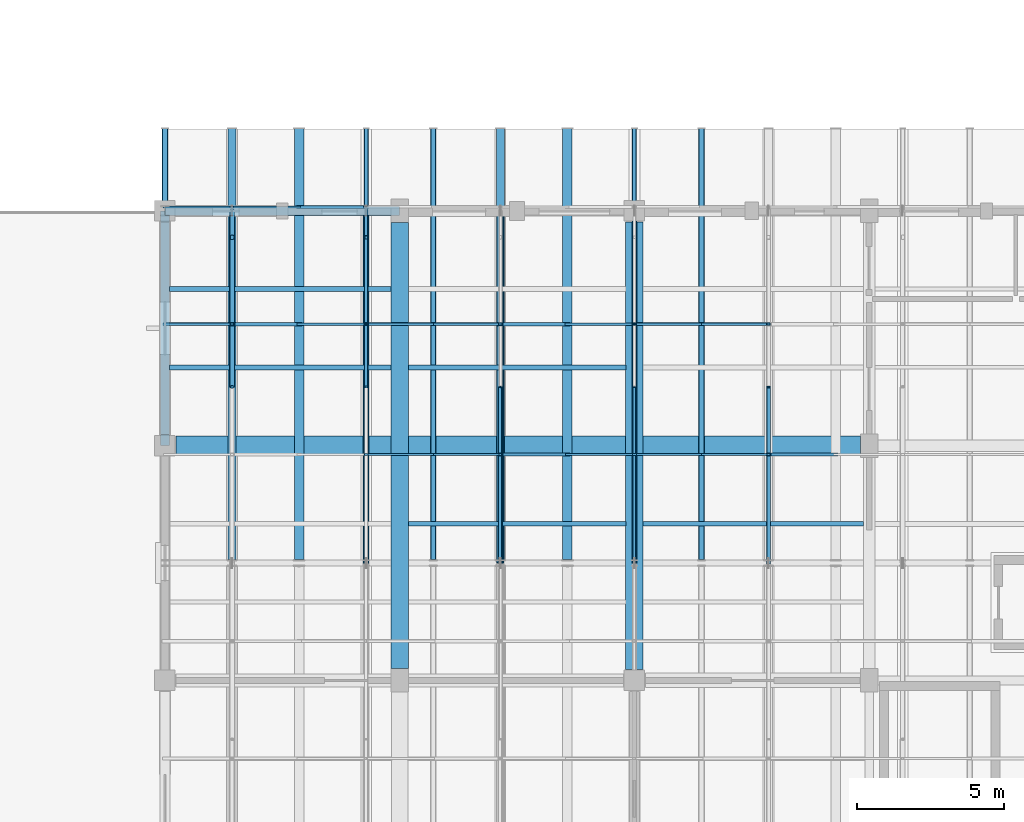
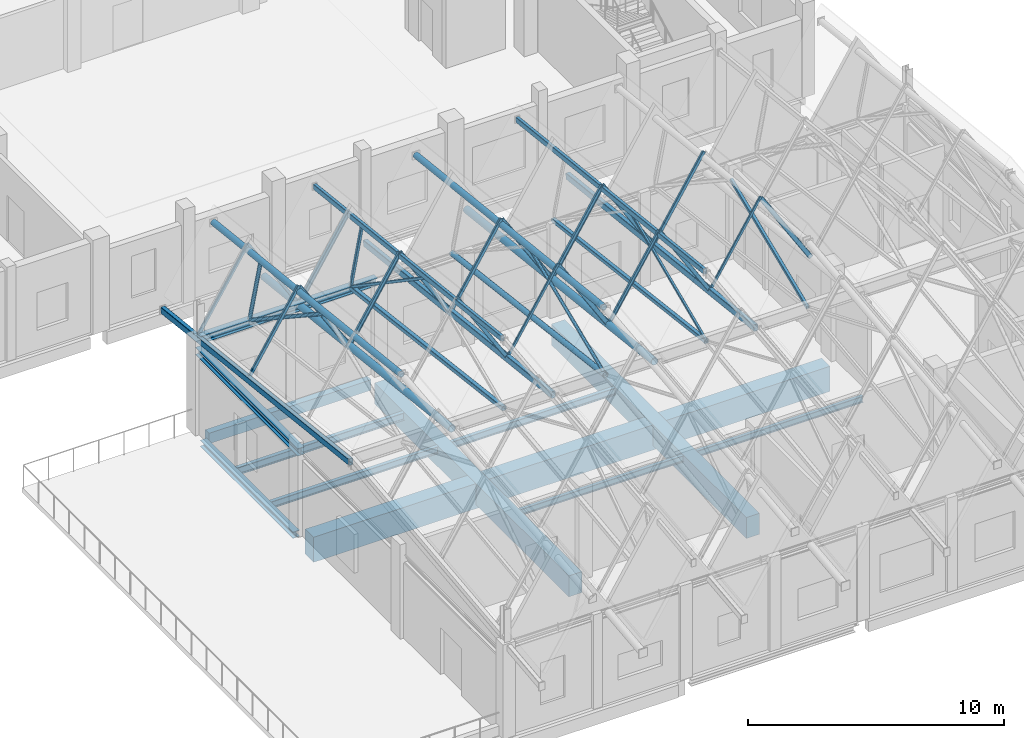
# One storey, part 22 of 77: 29 members, 21 beams.
"""IFC4 building model written with IfcOpenShell, lengths in metres."""

from ifc_helpers import new_model, si_unit, direction, frame, origin, origin_2d, place, context, subcontext, project, spatial, rectangle, hollow_rectangle, hollow_circle, i_section, extrude, material, material_profile, profile_set, type_object, element, save


model = new_model("IFC4")

# Units and contexts
model_context = context("Model", 3, precision=1e-05, world=origin(), true_north=direction((0.0, 1.0)))
body_context = subcontext(model_context, "Body", "Model", "MODEL_VIEW")
ifc_project = project(units=[si_unit("LENGTHUNIT", "METRE"), si_unit("AREAUNIT", "SQUARE_METRE"), si_unit("VOLUMEUNIT", "CUBIC_METRE"), si_unit("PLANEANGLEUNIT", "RADIAN"), si_unit("MASSUNIT", "GRAM", prefix="KILO")], contexts=[model_context])

# Site, building, storey
site_placement = place(None, origin())
site = spatial("IfcSite", under=ifc_project, at=site_placement, CompositionType="ELEMENT")
building_placement = place(site_placement, origin())
building = spatial("IfcBuilding", under=site, at=building_placement, Name="Luwemba Playhouse", CompositionType="ELEMENT")
storey_placement = place(building_placement, frame((0.0, 0.0, 9.300048828125)))
storey = spatial("IfcBuildingStorey", under=building, at=storey_placement, Name="L02", CompositionType="ELEMENT", Elevation=9.300048828125)

# Beams
ifc_material_1 = material(Name="Concrete C40/50", Category="concrete")
ifc_material_profile_1 = material_profile(ifc_material_1, rectangle(XDim=0.60009765625, YDim=1.0, at=origin_2d()))
ifc_profile_set_1 = profile_set([ifc_material_profile_1], Name="Concrete C40/50")
beam_type_1 = type_object("IfcBeamType", Name="BM-RB09", PredefinedType="BEAM", material=ifc_profile_set_1)
beam_1_placement = place(storey_placement, frame((148.0, 44.39990234375, -0.75), z_axis=(0.0, 1.0, 0.0), x_axis=(-1.0, 0.0, 0.0)))
element("IfcBeam", 1, at=beam_1_placement, inside=storey, type_object=beam_type_1, Name="L02 transverse girder 0716", PredefinedType="BEAM", context=body_context, shape_type="SweptSolid", body=[
    extrude(rectangle(XDim=0.60009765625, YDim=1.0, at=origin_2d()), origin(), (0.0, 0.0, 1.0), 15.2001953125),
])
beam_2_placement = place(storey_placement, frame((156.0, 44.375, -0.75), z_axis=(0.0, 1.0, 0.0), x_axis=(-1.0, 0.0, 0.0)))
element("IfcBeam", 2, at=beam_2_placement, inside=storey, type_object=beam_type_1, Name="L02 transverse girder 0718", PredefinedType="BEAM", context=body_context, shape_type="SweptSolid", body=[
    extrude(rectangle(XDim=0.60009765625, YDim=1.0, at=origin_2d()), origin(), (0.0, 0.0, 1.0), 15.25),
])
ifc_material_profile_2 = material_profile(ifc_material_1, rectangle(XDim=0.64990234375, YDim=1.199951171875, at=origin_2d()))
ifc_profile_set_2 = profile_set([ifc_material_profile_2], Name="Concrete C40/50")
beam_type_2 = type_object("IfcBeamType", Name="BM-RB11", PredefinedType="BEAM", material=ifc_profile_set_2)
beam_3_placement = place(storey_placement, frame((140.375, 52.0, -0.85009765625), z_axis=(1.0, 0.0, 0.0), x_axis=(0.0, 1.0, 0.0)))
element("IfcBeam", 3, at=beam_3_placement, inside=storey, type_object=beam_type_2, Name="L02 grid girder 0706", PredefinedType="BEAM", context=body_context, shape_type="SweptSolid", body=[
    extrude(rectangle(XDim=0.64990234375, YDim=1.199951171875, at=origin_2d()), origin(), (0.0, 0.0, 1.0), 23.324951171875),
])
ifc_material_2 = material(Name="Steel S355", Category="steel")
ifc_material_profile_3 = material_profile(ifc_material_2, hollow_rectangle(XDim=0.14990234375, YDim=0.25, WallThickness=0.010009765625, InnerFilletRadius=0.014892578125, OuterFilletRadius=0.02490234375, at=origin_2d()))
ifc_profile_set_3 = profile_set([ifc_material_profile_3], Name="Steel S355")
beam_type_3 = type_object("IfcBeamType", Name="BM-RTG1", PredefinedType="USERDEFINED", material=ifc_profile_set_3)
for number, where, z_axis, x_axis, name in (
    (4, (146.857177734375, 48.110107421875, 9.131103515625), (0.0, 0.993768187881, -0.11146653648), (-1.0, 0.0, 0.0), "ROOF TRUSS ridge girder 0172"),
    (5, (156.0, 48.110107421875, 9.131103515625), (0.0, 0.993766358241, -0.111482847235), (-1.0, 0.0, 0.0), "ROOF TRUSS ridge girder 0180"),
):
    element("IfcBeam", number, at=place(storey_placement, frame(where, z_axis=z_axis, x_axis=x_axis)), inside=storey, type_object=beam_type_3, Name=name, ObjectType="ROOF TRUSS", PredefinedType="USERDEFINED", context=body_context, shape_type="SweptSolid", body=[
        extrude(hollow_rectangle(XDim=0.14990234375, YDim=0.25, WallThickness=0.010009765625, InnerFilletRadius=0.014892578125, OuterFilletRadius=0.02490234375, at=origin_2d()), origin(), (0.0, 0.0, 1.0), 14.781982421875),
    ])
ifc_material_profile_4 = material_profile(ifc_material_2, hollow_rectangle(XDim=0.199951171875, YDim=0.300048828125, WallThickness=0.012451171875, InnerFilletRadius=0.018798828125, OuterFilletRadius=0.03125, at=origin_2d()))
ifc_profile_set_4 = profile_set([ifc_material_profile_4], Name="Steel S355")
beam_type_4 = type_object("IfcBeamType", Name="BM-RTG2", PredefinedType="USERDEFINED", material=ifc_profile_set_4)
for number, where, z_axis, x_axis, name in (
    (6, (140.0, 48.110107421875, 5.645751953125), (0.0, 0.993768187881, -0.11146653648), (-1.0, 0.0, 0.0), "ROOF TRUSS valley girder 0166"),
    (7, (149.142822265625, 48.110107421875, 5.645751953125), (0.0, 0.993768187881, -0.11146653648), (-1.0, 0.0, 0.0), "ROOF TRUSS valley girder 0174"),
    (8, (158.28564453125, 48.110107421875, 5.645751953125), (0.0, 0.993768187881, -0.11146653648), (-1.0, 0.0, 0.0), "ROOF TRUSS valley girder 0182"),
):
    element("IfcBeam", number, at=place(storey_placement, frame(where, z_axis=z_axis, x_axis=x_axis)), inside=storey, type_object=beam_type_4, Name=name, ObjectType="ROOF TRUSS", PredefinedType="USERDEFINED", context=body_context, shape_type="SweptSolid", body=[
        extrude(hollow_rectangle(XDim=0.199951171875, YDim=0.300048828125, WallThickness=0.012451171875, InnerFilletRadius=0.018798828125, OuterFilletRadius=0.03125, at=origin_2d()), origin(), (0.0, 0.0, 1.0), 14.781982421875),
    ])
ifc_material_profile_5 = material_profile(ifc_material_2, hollow_circle(Radius=0.136474609375, WallThickness=0.012451171875, at=origin_2d()))
ifc_profile_set_5 = profile_set([ifc_material_profile_5], Name="Steel S355")
beam_type_5 = type_object("IfcBeamType", Name="BM-RTG3", PredefinedType="USERDEFINED", material=ifc_profile_set_5)
for number, where, z_axis, x_axis, name in (
    (9, (142.28564453125, 48.110107421875, 9.021240234375), (0.0, 0.993768187881, -0.11146653648), (-1.0, 0.0, 0.0), "ROOF TRUSS ridge girder 0168"),
    (10, (151.4287109375, 48.110107421875, 9.02099609375), (0.0, 0.993768187881, -0.11146653648), (-1.0, 0.0, 0.0), "ROOF TRUSS ridge girder 0176"),
):
    element("IfcBeam", number, at=place(storey_placement, frame(where, z_axis=z_axis, x_axis=x_axis)), inside=storey, type_object=beam_type_5, Name=name, ObjectType="ROOF TRUSS", PredefinedType="USERDEFINED", context=body_context, shape_type="SweptSolid", body=[
        extrude(hollow_circle(Radius=0.136474609375, WallThickness=0.012451171875, at=origin_2d()), origin(), (0.0, 0.0, 1.0), 14.781982421875),
    ])
ifc_material_profile_6 = material_profile(ifc_material_2, hollow_circle(Radius=0.161865234375, WallThickness=0.01611328125, at=origin_2d()))
ifc_profile_set_6 = profile_set([ifc_material_profile_6], Name="Steel S355")
beam_type_6 = type_object("IfcBeamType", Name="BM-RTG4", PredefinedType="USERDEFINED", material=ifc_profile_set_6)
for number, where, z_axis, x_axis, name in (
    (11, (144.5712890625, 48.110107421875, 5.6337890625), (0.0, 0.993768187881, -0.11146653648), (-1.0, 0.0, 0.0), "ROOF TRUSS valley girder 0170"),
    (12, (153.71435546875, 48.110107421875, 5.634033203125), (0.0, 0.993768187881, -0.11146653648), (-1.0, 0.0, 0.0), "ROOF TRUSS valley girder 0178"),
):
    element("IfcBeam", number, at=place(storey_placement, frame(where, z_axis=z_axis, x_axis=x_axis)), inside=storey, type_object=beam_type_6, Name=name, ObjectType="ROOF TRUSS", PredefinedType="USERDEFINED", context=body_context, shape_type="SweptSolid", body=[
        extrude(hollow_circle(Radius=0.161865234375, WallThickness=0.01611328125, at=origin_2d()), origin(), (0.0, 0.0, 1.0), 14.781982421875),
    ])
ifc_material_profile_7 = material_profile(ifc_material_2, i_section(OverallWidth=0.300048828125, OverallDepth=0.360107421875, WebThickness=0.012451171875, FlangeThickness=0.0224609375, FilletRadius=0.027099609375, at=origin_2d()))
ifc_profile_set_7 = profile_set([ifc_material_profile_7], Name="Steel S355")
beam_type_7 = type_object("IfcBeamType", Name="BM-SB09", PredefinedType="BEAM", material=ifc_profile_set_7)
for number, where, z_axis, x_axis, name in (
    (13, (140.0, 60.0, 4.320068359375), (1.0, 0.0, 0.0), (0.0, 1.0, 0.0), "RF-V3 eave ring beam 0152"),
    (14, (140.0, 52.0, 3.780029296875), (0.0, 1.0, 0.0), (-1.0, 0.0, 0.0), "RF-V3 gable ring beam 0158"),
):
    element("IfcBeam", number, at=place(storey_placement, frame(where, z_axis=z_axis, x_axis=x_axis)), inside=storey, type_object=beam_type_7, Name=name, PredefinedType="BEAM", context=body_context, shape_type="SweptSolid", body=[
        extrude(i_section(OverallWidth=0.300048828125, OverallDepth=0.360107421875, WebThickness=0.012451171875, FlangeThickness=0.0224609375, FilletRadius=0.027099609375, at=origin_2d()), origin(), (0.0, 0.0, 1.0), 8.0),
    ])
ifc_material_profile_8 = material_profile(ifc_material_2, i_section(OverallWidth=0.14990234375, OverallDepth=0.300048828125, WebThickness=0.007080078125, FlangeThickness=0.0107421875, FilletRadius=0.014892578125, at=origin_2d()))
ifc_profile_set_8 = profile_set([ifc_material_profile_8], Name="Steel S355")
beam_type_8 = type_object("IfcBeamType", Name="BM-SJ05", PredefinedType="JOIST", material=ifc_profile_set_8)
beam_4_placement = place(storey_placement, frame((148.2958984375, 49.333251953125, -0.400146484375), z_axis=(1.0, 0.0, 0.0), x_axis=(0.0, 1.0, 0.0)))
element("IfcBeam", 15, at=beam_4_placement, inside=storey, type_object=beam_type_8, Name="L02 composite floor joist 0413", PredefinedType="JOIST", context=body_context, shape_type="SweptSolid", body=[
    extrude(i_section(OverallWidth=0.14990234375, OverallDepth=0.300048828125, WebThickness=0.007080078125, FlangeThickness=0.0107421875, FilletRadius=0.014892578125, at=origin_2d()), origin(), (0.0, 0.0, 1.0), 7.408203125),
])
beam_5_placement = place(storey_placement, frame((156.2958984375, 49.333251953125, -0.400146484375), z_axis=(1.0, 0.0, 0.0), x_axis=(0.0, 1.0, 0.0)))
element("IfcBeam", 16, at=beam_5_placement, inside=storey, type_object=beam_type_8, Name="L02 composite floor joist 0419", PredefinedType="JOIST", context=body_context, shape_type="SweptSolid", body=[
    extrude(i_section(OverallWidth=0.14990234375, OverallDepth=0.300048828125, WebThickness=0.007080078125, FlangeThickness=0.0107421875, FilletRadius=0.014892578125, at=origin_2d()), origin(), (0.0, 0.0, 1.0), 7.508056640625),
])
ifc_material_profile_9 = material_profile(ifc_material_2, i_section(OverallWidth=0.159912109375, OverallDepth=0.330078125, WebThickness=0.007568359375, FlangeThickness=0.011474609375, FilletRadius=0.01806640625, at=origin_2d()))
ifc_profile_set_9 = profile_set([ifc_material_profile_9], Name="Steel S355")
beam_type_9 = type_object("IfcBeamType", Name="BM-SJ06", PredefinedType="JOIST", material=ifc_profile_set_9)
beam_6_placement = place(storey_placement, frame((140.14599609375, 54.666748046875, -0.4150390625), z_axis=(1.0, 0.0, 0.0), x_axis=(0.0, 1.0, 0.0)))
element("IfcBeam", 17, at=beam_6_placement, inside=storey, type_object=beam_type_9, Name="L02 composite floor joist 0408", PredefinedType="JOIST", context=body_context, shape_type="SweptSolid", body=[
    extrude(i_section(OverallWidth=0.159912109375, OverallDepth=0.330078125, WebThickness=0.007568359375, FlangeThickness=0.011474609375, FilletRadius=0.01806640625, at=origin_2d()), origin(), (0.0, 0.0, 1.0), 7.55810546875),
])
beam_7_placement = place(storey_placement, frame((148.2958984375, 54.666748046875, -0.4150390625), z_axis=(1.0, 0.0, 0.0), x_axis=(0.0, 1.0, 0.0)))
element("IfcBeam", 18, at=beam_7_placement, inside=storey, type_object=beam_type_9, Name="L02 composite floor joist 0414", PredefinedType="JOIST", context=body_context, shape_type="SweptSolid", body=[
    extrude(i_section(OverallWidth=0.159912109375, OverallDepth=0.330078125, WebThickness=0.007568359375, FlangeThickness=0.011474609375, FilletRadius=0.01806640625, at=origin_2d()), origin(), (0.0, 0.0, 1.0), 7.408203125),
])
ifc_material_profile_10 = material_profile(ifc_material_2, i_section(OverallWidth=0.169921875, OverallDepth=0.360107421875, WebThickness=0.008056640625, FlangeThickness=0.0126953125, FilletRadius=0.01806640625, at=origin_2d()))
ifc_profile_set_10 = profile_set([ifc_material_profile_10], Name="Steel S355")
beam_type_10 = type_object("IfcBeamType", Name="BM-SJ07", PredefinedType="JOIST", material=ifc_profile_set_10)
beam_8_placement = place(storey_placement, frame((140.14599609375, 57.333251953125, -0.429931640625), z_axis=(1.0, 0.0, 0.0), x_axis=(0.0, 1.0, 0.0)))
element("IfcBeam", 19, at=beam_8_placement, inside=storey, type_object=beam_type_10, Name="L02 composite floor joist 0409", PredefinedType="JOIST", context=body_context, shape_type="SweptSolid", body=[
    extrude(i_section(OverallWidth=0.169921875, OverallDepth=0.360107421875, WebThickness=0.008056640625, FlangeThickness=0.0126953125, FilletRadius=0.01806640625, at=origin_2d()), origin(), (0.0, 0.0, 1.0), 7.55810546875),
])
ifc_material_profile_11 = material_profile(ifc_material_1, rectangle(XDim=0.300048828125, YDim=0.5, at=origin_2d()))
ifc_profile_set_11 = profile_set([ifc_material_profile_11], Name="Concrete C40/50")
beam_type_11 = type_object("IfcBeamType", Name="BM-SP1", PredefinedType="SPANDREL", material=ifc_profile_set_11)
beam_9_placement = place(storey_placement, frame((140.375, 60.0, -0.5), z_axis=(1.0, 0.0, 0.0), x_axis=(0.0, 1.0, 0.0)))
element("IfcBeam", 20, at=beam_9_placement, inside=storey, type_object=beam_type_11, Name="L02 grid girder 0708", PredefinedType="SPANDREL", context=body_context, shape_type="SweptSolid", body=[
    extrude(rectangle(XDim=0.300048828125, YDim=0.5, at=origin_2d()), origin(), (0.0, 0.0, 1.0), 7.324951171875),
])
ifc_material_profile_12 = material_profile(ifc_material_2, i_section(OverallWidth=0.300048828125, OverallDepth=0.300048828125, WebThickness=0.010986328125, FlangeThickness=0.01904296875, FilletRadius=0.027099609375, at=origin_2d()))
ifc_profile_set_12 = profile_set([ifc_material_profile_12], Name="Steel S355")
beam_type_12 = type_object("IfcBeamType", Name="BM-SSP1", PredefinedType="SPANDREL", material=ifc_profile_set_12)
beam_10_placement = place(storey_placement, frame((140.0, 52.375, -0.400146484375), z_axis=(0.0, 1.0, 0.0), x_axis=(-1.0, 0.0, 0.0)))
element("IfcBeam", 21, at=beam_10_placement, inside=storey, type_object=beam_type_12, Name="L02 transverse girder 0714", PredefinedType="SPANDREL", context=body_context, shape_type="SweptSolid", body=[
    extrude(i_section(OverallWidth=0.300048828125, OverallDepth=0.300048828125, WebThickness=0.010986328125, FlangeThickness=0.01904296875, FilletRadius=0.027099609375, at=origin_2d()), origin(), (0.0, 0.0, 1.0), 7.25),
])

# Members
ifc_material_profile_13 = material_profile(ifc_material_2, hollow_circle(Radius=0.06982421875, WallThickness=0.008056640625, at=origin_2d()))
ifc_profile_set_13 = profile_set([ifc_material_profile_13], Name="Steel S355")
member_type_1 = type_object("IfcMemberType", Name="MEM-MB01", PredefinedType="BRACE", material=ifc_profile_set_13)
member_1_placement = place(storey_placement, frame((151.4287109375, 48.0, 5.865966796875), z_axis=(0.0, 0.923383434978, 0.38387892884), x_axis=(-1.0, 0.0, 0.0)))
element("IfcMember", 22, at=member_1_placement, inside=storey, type_object=member_type_1, Name="ROOF TRUSS web diagonal 0155", PredefinedType="BRACE", context=body_context, shape_type="SweptSolid", body=[
    extrude(hollow_circle(Radius=0.06982421875, WallThickness=0.008056640625, at=origin_2d()), origin(), (0.0, 0.0, 1.0), 6.497802734375),
])
ifc_material_profile_14 = material_profile(ifc_material_2, hollow_circle(Radius=0.084228515625, WallThickness=0.008056640625, at=origin_2d()))
ifc_profile_set_14 = profile_set([ifc_material_profile_14], Name="Steel S355")
member_type_2 = type_object("IfcMemberType", Name="MEM-MB02", PredefinedType="BRACE", material=ifc_profile_set_14)
member_2_placement = place(storey_placement, frame((142.28564453125, 60.0, 4.39990234375), z_axis=(0.0, -0.834580678747, 0.550885732854), x_axis=(1.0, 0.0, 0.0)))
element("IfcMember", 23, at=member_2_placement, inside=storey, type_object=member_type_2, Name="ROOF TRUSS web diagonal 0144", PredefinedType="BRACE", context=body_context, shape_type="SweptSolid", body=[
    extrude(hollow_circle(Radius=0.084228515625, WallThickness=0.008056640625, at=origin_2d()), origin(), (0.0, 0.0, 1.0), 7.189208984375),
])
member_3_placement = place(storey_placement, frame((142.28564453125, 60.0, 4.39990234375), z_axis=(0.0, -0.256682973169, 0.966495655078), x_axis=(1.0, 0.0, 0.0)))
element("IfcMember", 24, at=member_3_placement, inside=storey, type_object=member_type_2, Name="ROOF TRUSS eave knee strut 0031", PredefinedType="BRACE", context=body_context, shape_type="SweptSolid", body=[
    extrude(hollow_circle(Radius=0.084228515625, WallThickness=0.008056640625, at=origin_2d()), origin(), (0.0, 0.0, 1.0), 3.505859375),
])
ifc_material_profile_15 = material_profile(ifc_material_2, hollow_rectangle(XDim=0.10009765625, YDim=0.10009765625, WallThickness=0.00634765625, InnerFilletRadius=0.009521484375, OuterFilletRadius=0.015869140625, at=origin_2d()))
ifc_profile_set_15 = profile_set([ifc_material_profile_15], Name="Steel S355")
member_type_3 = type_object("IfcMemberType", Name="MEM-MB05", PredefinedType="BRACE", material=ifc_profile_set_15)
member_4_placement = place(storey_placement, frame((156.0, 48.0, 5.865966796875), z_axis=(0.0, 0.917304885727, 0.398185568072), x_axis=(-1.0, 0.0, 0.0)))
element("IfcMember", 25, at=member_4_placement, inside=storey, type_object=member_type_3, Name="ROOF TRUSS web diagonal 0161", PredefinedType="BRACE", context=body_context, shape_type="SweptSolid", body=[
    extrude(hollow_rectangle(XDim=0.10009765625, YDim=0.10009765625, WallThickness=0.00634765625, InnerFilletRadius=0.009521484375, OuterFilletRadius=0.015869140625, at=origin_2d()), origin(), (0.0, 0.0, 1.0), 6.541015625),
])
ifc_material_profile_16 = material_profile(ifc_material_2, hollow_rectangle(XDim=0.1201171875, YDim=0.1201171875, WallThickness=0.008056640625, InnerFilletRadius=0.011962890625, OuterFilletRadius=0.02001953125, at=origin_2d()))
ifc_profile_set_16 = profile_set([ifc_material_profile_16], Name="Steel S355")
member_type_4 = type_object("IfcMemberType", Name="MEM-MB06", PredefinedType="BRACE", material=ifc_profile_set_16)
member_5_placement = place(storey_placement, frame((146.857177734375, 60.0, 4.39990234375), z_axis=(0.0, -0.827531645808, 0.561419072695), x_axis=(1.0, 0.0, 0.0)))
element("IfcMember", 26, at=member_5_placement, inside=storey, type_object=member_type_4, Name="ROOF TRUSS web diagonal 0150", PredefinedType="BRACE", context=body_context, shape_type="SweptSolid", body=[
    extrude(hollow_rectangle(XDim=0.1201171875, YDim=0.1201171875, WallThickness=0.008056640625, InnerFilletRadius=0.011962890625, OuterFilletRadius=0.02001953125, at=origin_2d()), origin(), (0.0, 0.0, 1.0), 7.25048828125),
])
member_6_placement = place(storey_placement, frame((146.857177734375, 60.0, 4.39990234375), z_axis=(0.0, -0.249113487175, 0.968474300386), x_axis=(1.0, 0.0, 0.0)))
element("IfcMember", 27, at=member_6_placement, inside=storey, type_object=member_type_4, Name="ROOF TRUSS eave knee strut 0033", PredefinedType="BRACE", context=body_context, shape_type="SweptSolid", body=[
    extrude(hollow_rectangle(XDim=0.1201171875, YDim=0.1201171875, WallThickness=0.008056640625, InnerFilletRadius=0.011962890625, OuterFilletRadius=0.02001953125, at=origin_2d()), origin(), (0.0, 0.0, 1.0), 3.6123046875),
])
ifc_material_profile_17 = material_profile(ifc_material_2, hollow_rectangle(XDim=0.139892578125, YDim=0.139892578125, WallThickness=0.008056640625, InnerFilletRadius=0.011962890625, OuterFilletRadius=0.02001953125, at=origin_2d()))
ifc_profile_set_17 = profile_set([ifc_material_profile_17], Name="Steel S355")
member_type_5 = type_object("IfcMemberType", Name="MEM-MB07", PredefinedType="BRACE", material=ifc_profile_set_17)
member_7_placement = place(storey_placement, frame((160.5712890625, 48.0, 5.865966796875), z_axis=(0.0, 0.923370116363, 0.383910963908), x_axis=(-1.0, 0.0, 0.0)))
element("IfcMember", 28, at=member_7_placement, inside=storey, type_object=member_type_5, Name="ROOF TRUSS web diagonal 0167", PredefinedType="BRACE", context=body_context, shape_type="SweptSolid", body=[
    extrude(hollow_rectangle(XDim=0.139892578125, YDim=0.139892578125, WallThickness=0.008056640625, InnerFilletRadius=0.011962890625, OuterFilletRadius=0.02001953125, at=origin_2d()), origin(), (0.0, 0.0, 1.0), 6.498046875),
])
ifc_material_profile_18 = material_profile(ifc_material_2, hollow_circle(Radius=0.122314453125, WallThickness=0.012451171875, at=origin_2d()))
ifc_profile_set_18 = profile_set([ifc_material_profile_18], Name="Steel S355")
member_type_6 = type_object("IfcMemberType", Name="MEM-MC01", PredefinedType="CHORD", material=ifc_profile_set_18)
member_8_placement = place(storey_placement, frame((151.4287109375, 48.0, 5.865966796875), z_axis=(0.0, 0.99261951546, -0.121270348924), x_axis=(-1.0, 0.0, 0.0)))
element("IfcMember", 29, at=member_8_placement, inside=storey, type_object=member_type_6, Name="ROOF TRUSS north bottom chord 0152", PredefinedType="CHORD", context=body_context, shape_type="SweptSolid", body=[
    extrude(hollow_circle(Radius=0.122314453125, WallThickness=0.012451171875, at=origin_2d()), origin(), (0.0, 0.0, 1.0), 12.089111328125),
])
ifc_material_profile_19 = material_profile(ifc_material_2, hollow_rectangle(XDim=0.179931640625, YDim=0.179931640625, WallThickness=0.010009765625, InnerFilletRadius=0.014892578125, OuterFilletRadius=0.02490234375, at=origin_2d()))
ifc_profile_set_19 = profile_set([ifc_material_profile_19], Name="Steel S355")
member_type_7 = type_object("IfcMemberType", Name="MEM-MC03", PredefinedType="CHORD", material=ifc_profile_set_19)
member_9_placement = place(storey_placement, frame((156.0, 48.0, 5.865966796875), z_axis=(0.0, 0.99261951546, -0.121270348924), x_axis=(-1.0, 0.0, 0.0)))
element("IfcMember", 30, at=member_9_placement, inside=storey, type_object=member_type_7, Name="ROOF TRUSS north bottom chord 0158", PredefinedType="CHORD", context=body_context, shape_type="SweptSolid", body=[
    extrude(hollow_rectangle(XDim=0.179931640625, YDim=0.179931640625, WallThickness=0.010009765625, InnerFilletRadius=0.014892578125, OuterFilletRadius=0.02490234375, at=origin_2d()), origin(), (0.0, 0.0, 1.0), 12.089111328125),
])
ifc_material_profile_20 = material_profile(ifc_material_2, hollow_rectangle(XDim=0.199951171875, YDim=0.199951171875, WallThickness=0.012451171875, InnerFilletRadius=0.018798828125, OuterFilletRadius=0.03125, at=origin_2d()))
ifc_profile_set_20 = profile_set([ifc_material_profile_20], Name="Steel S355")
member_type_8 = type_object("IfcMemberType", Name="MEM-MC04", PredefinedType="CHORD", material=ifc_profile_set_20)
member_10_placement = place(storey_placement, frame((146.857177734375, 48.0, 5.865966796875), z_axis=(0.0, 0.99261951546, -0.121270348924), x_axis=(-1.0, 0.0, 0.0)))
element("IfcMember", 31, at=member_10_placement, inside=storey, type_object=member_type_8, Name="ROOF TRUSS north bottom chord 0146", PredefinedType="CHORD", context=body_context, shape_type="SweptSolid", body=[
    extrude(hollow_rectangle(XDim=0.199951171875, YDim=0.199951171875, WallThickness=0.012451171875, InnerFilletRadius=0.018798828125, OuterFilletRadius=0.03125, at=origin_2d()), origin(), (0.0, 0.0, 1.0), 12.089111328125),
])
ifc_material_profile_21 = material_profile(ifc_material_2, hollow_rectangle(XDim=0.080078125, YDim=0.1201171875, WallThickness=0.00634765625, InnerFilletRadius=0.009521484375, OuterFilletRadius=0.015869140625, at=origin_2d()))
ifc_profile_set_21 = profile_set([ifc_material_profile_21], Name="Steel S355")
member_type_9 = type_object("IfcMemberType", Name="MEM-MP01", PredefinedType="PURLIN", material=ifc_profile_set_21)
member_11_placement = place(storey_placement, frame((142.28564453125, 60.135986328125, 7.98193359375), z_axis=(0.530334965128, 0.0, -0.847788195697), x_axis=(0.0, 1.0, 0.0)))
element("IfcMember", 32, at=member_11_placement, inside=storey, type_object=member_type_9, Name="Pleated roof purlin 0288", PredefinedType="PURLIN", context=body_context, shape_type="SweptSolid", body=[
    extrude(hollow_rectangle(XDim=0.080078125, YDim=0.1201171875, WallThickness=0.00634765625, InnerFilletRadius=0.009521484375, OuterFilletRadius=0.015869140625, at=origin_2d()), origin(), (0.0, 0.0, 1.0), 4.309814453125),
])
for number, where, z_axis, x_axis, name in (
    (33, (149.142822265625, 51.699951171875, 5.274169921875), (0.530350209601, 0.0, 0.847778659307), (0.0, 1.0, 0.0), "Pleated roof purlin 0304"),
    (34, (158.28564453125, 51.699951171875, 5.274169921875), (0.530309496681, 0.0, 0.847804126984), (0.0, 1.0, 0.0), "Pleated roof purlin 0328"),
):
    element("IfcMember", number, at=place(storey_placement, frame(where, z_axis=z_axis, x_axis=x_axis)), inside=storey, type_object=member_type_9, Name=name, PredefinedType="PURLIN", context=body_context, shape_type="SweptSolid", body=[
        extrude(hollow_rectangle(XDim=0.080078125, YDim=0.1201171875, WallThickness=0.00634765625, InnerFilletRadius=0.009521484375, OuterFilletRadius=0.015869140625, at=origin_2d()), origin(), (0.0, 0.0, 1.0), 4.31005859375),
    ])
ifc_material_profile_22 = material_profile(ifc_material_2, hollow_rectangle(XDim=0.10009765625, YDim=0.14990234375, WallThickness=0.008056640625, InnerFilletRadius=0.011962890625, OuterFilletRadius=0.02001953125, at=origin_2d()))
ifc_profile_set_22 = profile_set([ifc_material_profile_22], Name="Steel S355")
member_type_10 = type_object("IfcMemberType", Name="MEM-MP02", PredefinedType="PURLIN", material=ifc_profile_set_22)
for number, where, z_axis, x_axis, name in (
    (35, (140.0, 56.139892578125, 4.7451171875), (0.530309496681, 0.0, 0.847804126984), (0.0, 1.0, 0.0), "Pleated roof purlin 0281"),
    (36, (149.142822265625, 56.139892578125, 4.745361328125), (0.530375678473, 0.0, 0.847762726053), (0.0, 1.0, 0.0), "Pleated roof purlin 0305"),
    (37, (158.28564453125, 56.139892578125, 4.7451171875), (0.530309496681, 0.0, 0.847804126984), (0.0, 1.0, 0.0), "Pleated roof purlin 0329"),
):
    element("IfcMember", number, at=place(storey_placement, frame(where, z_axis=z_axis, x_axis=x_axis)), inside=storey, type_object=member_type_10, Name=name, PredefinedType="PURLIN", context=body_context, shape_type="SweptSolid", body=[
        extrude(hollow_rectangle(XDim=0.10009765625, YDim=0.14990234375, WallThickness=0.008056640625, InnerFilletRadius=0.011962890625, OuterFilletRadius=0.02001953125, at=origin_2d()), origin(), (0.0, 0.0, 1.0), 4.31005859375),
    ])
ifc_material_profile_23 = material_profile(ifc_material_2, hollow_rectangle(XDim=0.080078125, YDim=0.159912109375, WallThickness=0.00634765625, InnerFilletRadius=0.009521484375, OuterFilletRadius=0.015869140625, at=origin_2d()))
ifc_profile_set_23 = profile_set([ifc_material_profile_23], Name="Steel S355")
member_type_11 = type_object("IfcMemberType", Name="MEM-MP03", PredefinedType="PURLIN", material=ifc_profile_set_23)
for number, where, z_axis, x_axis, name in (
    (38, (140.0, 60.135986328125, 4.307861328125), (0.530309496681, 0.0, 0.847804126984), (0.0, 1.0, 0.0), "Pleated roof purlin 0282"),
    (39, (146.857177734375, 51.699951171875, 8.908203125), (0.530309496681, 0.0, -0.847804126984), (0.0, 1.0, 0.0), "Pleated roof purlin 0298"),
    (40, (156.0, 51.699951171875, 8.908203125), (0.530309496681, 0.0, -0.847804126984), (0.0, 1.0, 0.0), "Pleated roof purlin 0322"),
):
    element("IfcMember", number, at=place(storey_placement, frame(where, z_axis=z_axis, x_axis=x_axis)), inside=storey, type_object=member_type_11, Name=name, PredefinedType="PURLIN", context=body_context, shape_type="SweptSolid", body=[
        extrude(hollow_rectangle(XDim=0.080078125, YDim=0.159912109375, WallThickness=0.00634765625, InnerFilletRadius=0.009521484375, OuterFilletRadius=0.015869140625, at=origin_2d()), origin(), (0.0, 0.0, 1.0), 4.31005859375),
    ])
ifc_material_profile_24 = material_profile(ifc_material_2, hollow_rectangle(XDim=0.10009765625, YDim=0.179931640625, WallThickness=0.008056640625, InnerFilletRadius=0.011962890625, OuterFilletRadius=0.02001953125, at=origin_2d()))
ifc_profile_set_24 = profile_set([ifc_material_profile_24], Name="Steel S355")
member_type_12 = type_object("IfcMemberType", Name="MEM-MP04", PredefinedType="PURLIN", material=ifc_profile_set_24)
member_12_placement = place(storey_placement, frame((146.857177734375, 56.139892578125, 8.38427734375), z_axis=(0.530309496681, 0.0, -0.847804126984), x_axis=(0.0, 1.0, 0.0)))
element("IfcMember", 41, at=member_12_placement, inside=storey, type_object=member_type_12, Name="Pleated roof purlin 0299", PredefinedType="PURLIN", context=body_context, shape_type="SweptSolid", body=[
    extrude(hollow_rectangle(XDim=0.10009765625, YDim=0.179931640625, WallThickness=0.008056640625, InnerFilletRadius=0.011962890625, OuterFilletRadius=0.02001953125, at=origin_2d()), origin(), (0.0, 0.0, 1.0), 4.31005859375),
])
member_13_placement = place(storey_placement, frame((156.0, 56.139892578125, 8.384033203125), z_axis=(0.530334965128, 0.0, -0.847788195697), x_axis=(0.0, 1.0, 0.0)))
element("IfcMember", 42, at=member_13_placement, inside=storey, type_object=member_type_12, Name="Pleated roof purlin 0323", PredefinedType="PURLIN", context=body_context, shape_type="SweptSolid", body=[
    extrude(hollow_rectangle(XDim=0.10009765625, YDim=0.179931640625, WallThickness=0.008056640625, InnerFilletRadius=0.011962890625, OuterFilletRadius=0.02001953125, at=origin_2d()), origin(), (0.0, 0.0, 1.0), 4.309814453125),
])
ifc_material_profile_25 = material_profile(ifc_material_2, i_section(OverallWidth=0.08203125, OverallDepth=0.159912109375, WebThickness=0.0048828125, FlangeThickness=0.00732421875, FilletRadius=0.009033203125, at=origin_2d()))
ifc_profile_set_25 = profile_set([ifc_material_profile_25], Name="Steel S355")
member_type_13 = type_object("IfcMemberType", Name="MEM-MP05", PredefinedType="PURLIN", material=ifc_profile_set_25)
member_14_placement = place(storey_placement, frame((153.71435546875, 51.699951171875, 5.252685546875), z_axis=(0.530334965128, 0.0, 0.847788195697), x_axis=(0.0, 1.0, 0.0)))
element("IfcMember", 43, at=member_14_placement, inside=storey, type_object=member_type_13, Name="Pleated roof purlin 0316", PredefinedType="PURLIN", context=body_context, shape_type="SweptSolid", body=[
    extrude(i_section(OverallWidth=0.08203125, OverallDepth=0.159912109375, WebThickness=0.0048828125, FlangeThickness=0.00732421875, FilletRadius=0.009033203125, at=origin_2d()), origin(), (0.0, 0.0, 1.0), 4.309814453125),
])
ifc_material_profile_26 = material_profile(ifc_material_2, i_section(OverallWidth=0.091064453125, OverallDepth=0.179931640625, WebThickness=0.00537109375, FlangeThickness=0.008056640625, FilletRadius=0.009033203125, at=origin_2d()))
ifc_profile_set_26 = profile_set([ifc_material_profile_26], Name="Steel S355")
member_type_14 = type_object("IfcMemberType", Name="MEM-MP06", PredefinedType="PURLIN", material=ifc_profile_set_26)
member_15_placement = place(storey_placement, frame((144.5712890625, 56.139892578125, 4.7373046875), z_axis=(0.530350209601, 0.0, 0.847778659307), x_axis=(0.0, 1.0, 0.0)))
element("IfcMember", 44, at=member_15_placement, inside=storey, type_object=member_type_14, Name="Pleated roof purlin 0293", PredefinedType="PURLIN", context=body_context, shape_type="SweptSolid", body=[
    extrude(i_section(OverallWidth=0.091064453125, OverallDepth=0.179931640625, WebThickness=0.00537109375, FlangeThickness=0.008056640625, FilletRadius=0.009033203125, at=origin_2d()), origin(), (0.0, 0.0, 1.0), 4.31005859375),
])
member_16_placement = place(storey_placement, frame((153.71435546875, 56.139892578125, 4.737548828125), z_axis=(0.530334965128, 0.0, 0.847788195697), x_axis=(0.0, 1.0, 0.0)))
element("IfcMember", 45, at=member_16_placement, inside=storey, type_object=member_type_14, Name="Pleated roof purlin 0317", PredefinedType="PURLIN", context=body_context, shape_type="SweptSolid", body=[
    extrude(i_section(OverallWidth=0.091064453125, OverallDepth=0.179931640625, WebThickness=0.00537109375, FlangeThickness=0.008056640625, FilletRadius=0.009033203125, at=origin_2d()), origin(), (0.0, 0.0, 1.0), 4.309814453125),
])
ifc_material_profile_27 = material_profile(ifc_material_2, i_section(OverallWidth=0.10009765625, OverallDepth=0.199951171875, WebThickness=0.005615234375, FlangeThickness=0.008544921875, FilletRadius=0.011962890625, at=origin_2d()))
ifc_profile_set_27 = profile_set([ifc_material_profile_27], Name="Steel S355")
member_type_15 = type_object("IfcMemberType", Name="MEM-MP07", PredefinedType="PURLIN", material=ifc_profile_set_27)
member_17_placement = place(storey_placement, frame((144.5712890625, 60.135986328125, 4.27197265625), z_axis=(0.530350209601, 0.0, 0.847778659307), x_axis=(0.0, 1.0, 0.0)))
element("IfcMember", 46, at=member_17_placement, inside=storey, type_object=member_type_15, Name="Pleated roof purlin 0294", PredefinedType="PURLIN", context=body_context, shape_type="SweptSolid", body=[
    extrude(i_section(OverallWidth=0.10009765625, OverallDepth=0.199951171875, WebThickness=0.005615234375, FlangeThickness=0.008544921875, FilletRadius=0.011962890625, at=origin_2d()), origin(), (0.0, 0.0, 1.0), 4.31005859375),
])
member_18_placement = place(storey_placement, frame((151.4287109375, 51.699951171875, 8.8720703125), z_axis=(0.530334965128, 0.0, -0.847788195697), x_axis=(0.0, 1.0, 0.0)))
element("IfcMember", 47, at=member_18_placement, inside=storey, type_object=member_type_15, Name="Pleated roof purlin 0310", PredefinedType="PURLIN", context=body_context, shape_type="SweptSolid", body=[
    extrude(i_section(OverallWidth=0.10009765625, OverallDepth=0.199951171875, WebThickness=0.005615234375, FlangeThickness=0.008544921875, FilletRadius=0.011962890625, at=origin_2d()), origin(), (0.0, 0.0, 1.0), 4.309814453125),
])
member_19_placement = place(storey_placement, frame((160.5712890625, 51.699951171875, 8.872314453125), z_axis=(0.530350209601, 0.0, -0.847778659307), x_axis=(0.0, 1.0, 0.0)))
element("IfcMember", 48, at=member_19_placement, inside=storey, type_object=member_type_15, Name="Pleated roof purlin 0334", PredefinedType="PURLIN", context=body_context, shape_type="SweptSolid", body=[
    extrude(i_section(OverallWidth=0.10009765625, OverallDepth=0.199951171875, WebThickness=0.005615234375, FlangeThickness=0.008544921875, FilletRadius=0.011962890625, at=origin_2d()), origin(), (0.0, 0.0, 1.0), 4.31005859375),
])
ifc_material_profile_28 = material_profile(ifc_material_2, i_section(OverallWidth=0.110107421875, OverallDepth=0.219970703125, WebThickness=0.005859375, FlangeThickness=0.00927734375, FilletRadius=0.011962890625, at=origin_2d()))
ifc_profile_set_28 = profile_set([ifc_material_profile_28], Name="Steel S355")
member_type_16 = type_object("IfcMemberType", Name="MEM-MP08", PredefinedType="PURLIN", material=ifc_profile_set_28)
for number, where, z_axis, x_axis, name in (
    (49, (142.28564453125, 56.139892578125, 8.356201171875), (0.530309496681, 0.0, -0.847804126984), (0.0, 1.0, 0.0), "Pleated roof purlin 0287"),
    (50, (151.4287109375, 56.139892578125, 8.356201171875), (0.530309496681, 0.0, -0.847804126984), (0.0, 1.0, 0.0), "Pleated roof purlin 0311"),
):
    element("IfcMember", number, at=place(storey_placement, frame(where, z_axis=z_axis, x_axis=x_axis)), inside=storey, type_object=member_type_16, Name=name, PredefinedType="PURLIN", context=body_context, shape_type="SweptSolid", body=[
        extrude(i_section(OverallWidth=0.110107421875, OverallDepth=0.219970703125, WebThickness=0.005859375, FlangeThickness=0.00927734375, FilletRadius=0.011962890625, at=origin_2d()), origin(), (0.0, 0.0, 1.0), 4.31005859375),
    ])

save(model, "model.ifc")
